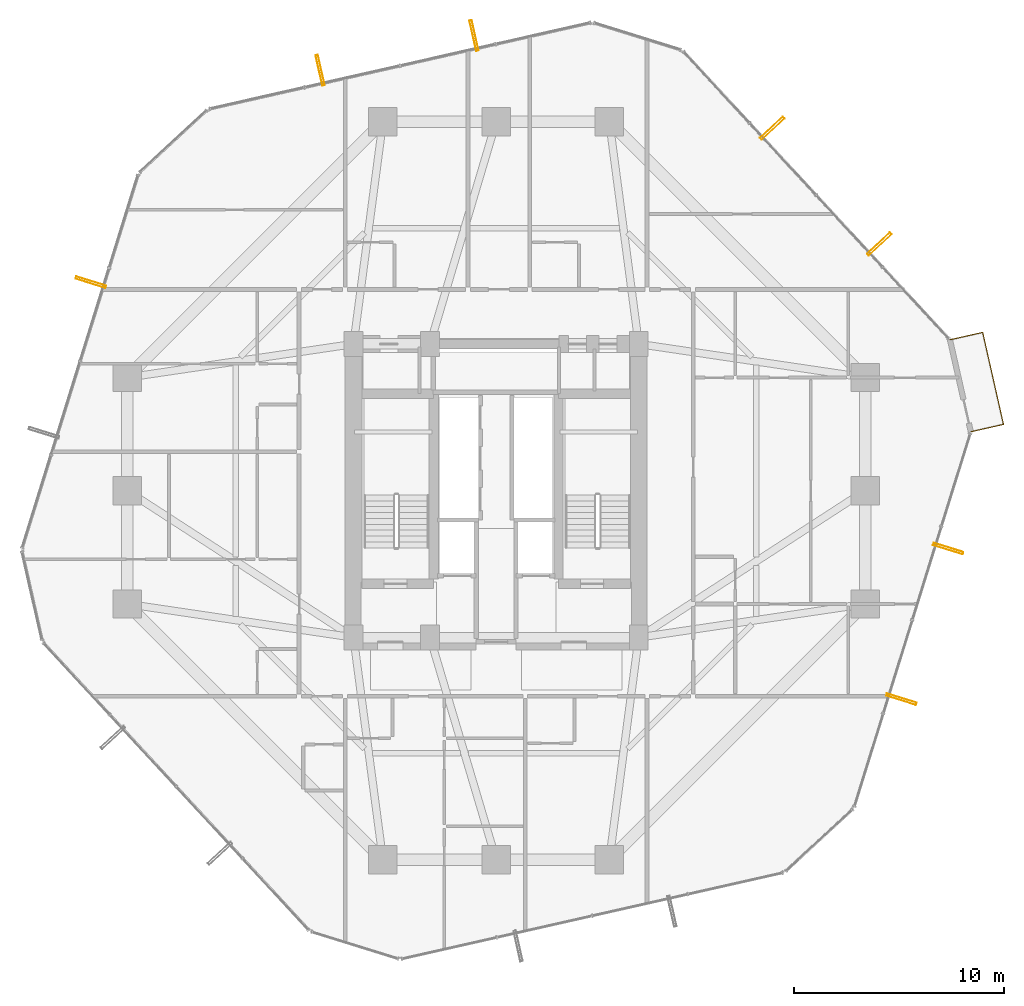
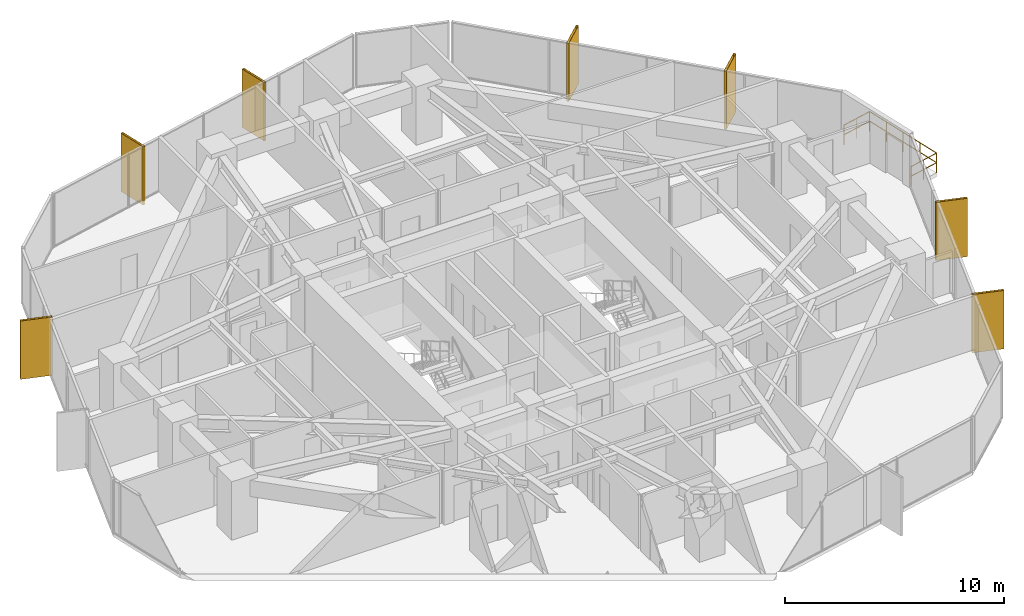
# One storey, part 39 of 39: 7 shading devices, 1 railing.
"""IFC4 building model written with IfcOpenShell, lengths in metres."""

import ifcopenshell
import ifcopenshell.guid

model = None  # the IFC model being written
_history = None  # IfcOwnerHistory: only IFC2X3 demands one
_inside = {}  # id of a spatial element -> (the spatial element, [elements in it])
_under = {}  # id of a project, library or spatial element -> (it, [spatial elements below it])
_declared = {}  # id of a project -> (the project, [libraries it declares])
_typed = {}  # id of a type object -> (the type object, [elements of that type])
_made_of = {}  # id of a material, layer set ... -> (it, [elements and type objects made of it])


def new_model(schema):
    """Start an empty IFC model of exactly this schema.

    Asked for "IFC4X3", IfcOpenShell would pick the latest addendum, in which some entities
    have other attributes; the version numbers below select the first issue.
    IFC2X3 requires an IfcOwnerHistory on every rooted entity: one is made here for all.
    """
    global model, _history
    if schema == "IFC4X3":
        model = ifcopenshell.file(schema_version=(4, 3, 0, 0))
    else:
        model = ifcopenshell.file(schema=schema)
    _inside.clear()
    _under.clear()
    _declared.clear()
    _typed.clear()
    _made_of.clear()
    _history = None
    if model.schema == "IFC2X3":
        org = make("IfcOrganization", Name="unknown")
        user = make(
            "IfcPersonAndOrganization",
            ThePerson=make("IfcPerson", FamilyName="unknown"),
            TheOrganization=org,
        )
        app = make(
            "IfcApplication",
            ApplicationDeveloper=org,
            Version="unknown",
            ApplicationFullName="unknown",
            ApplicationIdentifier="unknown",
        )
        _history = make(
            "IfcOwnerHistory",
            OwningUser=user,
            OwningApplication=app,
            ChangeAction="ADDED",
            CreationDate=0,
        )
    return model


def make(cls, **values):
    """One entity of the class cls with the attributes given. An attribute that is None is left unset."""
    return model.create_entity(
        cls, **{name: value for name, value in values.items() if value is not None}
    )


def rooted(cls, **values):
    """An entity with a GlobalId (a new one), such as an element, a storey or a relation."""
    return make(cls, GlobalId=ifcopenshell.guid.new(), OwnerHistory=_history, **values)


def si_unit(unit_type, name, prefix=None):
    """IfcSIUnit, for example si_unit("LENGTHUNIT", "METRE", prefix="MILLI")."""
    return make("IfcSIUnit", UnitType=unit_type, Prefix=prefix, Name=name)


def assignment(units):
    """IfcUnitAssignment: the units of a project."""
    return None if units is None else make("IfcUnitAssignment", Units=units)


def point(xyz):
    """IfcCartesianPoint."""
    return None if xyz is None else make("IfcCartesianPoint", Coordinates=xyz)


def direction(xyz):
    """IfcDirection."""
    return None if xyz is None else make("IfcDirection", DirectionRatios=xyz)


def frame(location, z_axis=None, x_axis=None):
    """IfcAxis2Placement3D, a coordinate frame: its origin and axes. An axis left out is left unset."""
    return make(
        "IfcAxis2Placement3D",
        Location=point(location),
        Axis=direction(z_axis),
        RefDirection=direction(x_axis),
    )


def frame_2d(location, x_axis=None):
    """IfcAxis2Placement2D, a coordinate frame in the plane: its origin and x axis."""
    return make(
        "IfcAxis2Placement2D", Location=point(location), RefDirection=direction(x_axis)
    )


def origin():
    """The frame at (0, 0, 0) with its axes left unset."""
    return frame((0.0, 0.0, 0.0))


def origin_2d():
    """The frame at (0, 0) in the plane with its x axis left unset."""
    return frame_2d((0.0, 0.0))


def place(relative_to, where):
    """IfcLocalPlacement: puts the frame where relative to a parent placement (None: the world)."""
    return make(
        "IfcLocalPlacement", PlacementRelTo=relative_to, RelativePlacement=where
    )


def context(
    kind, dimensions, precision=None, world=None, true_north=None, identifier=None
):
    """IfcGeometricRepresentationContext, for example the 3D "Model" context."""
    return make(
        "IfcGeometricRepresentationContext",
        ContextIdentifier=identifier,
        ContextType=kind,
        CoordinateSpaceDimension=dimensions,
        Precision=precision,
        WorldCoordinateSystem=world,
        TrueNorth=true_north,
    )


def subcontext(parent, identifier, kind, view, scale=None):
    """IfcGeometricRepresentationSubContext, for example "Body" below "Model"."""
    return make(
        "IfcGeometricRepresentationSubContext",
        ContextIdentifier=identifier,
        ContextType=kind,
        ParentContext=parent,
        TargetScale=scale,
        TargetView=view,
    )


def project(units=None, contexts=None):
    """IfcProject with its units and contexts."""
    return rooted(
        "IfcProject",
        Name="project",
        RepresentationContexts=contexts,
        UnitsInContext=assignment(units),
    )


def spatial(cls, under=None, at=None, **own):
    """A site, building, storey or space (cls), placed at a placement, below another one or the project."""
    s = rooted(cls, ObjectPlacement=at, **own)
    if under is not None:
        _under.setdefault(under.id(), (under, []))[1].append(s)
    return s


def profile(cls, at=None, kind="AREA", **sizes):
    """A parametric profile (cls). Its sizes go by their IFC names, for example OverallWidth=200.0."""
    return make(cls, ProfileType=kind, Position=at, **sizes)


def hollow_rectangle(**sizes):
    """IfcRectangleHollowProfileDef."""
    return profile("IfcRectangleHollowProfileDef", **sizes)


def circle(**sizes):
    """IfcCircleProfileDef."""
    return profile("IfcCircleProfileDef", **sizes)


def extrude(swept, where, along, depth):
    """IfcExtrudedAreaSolid: the profile swept, set in the frame where, extruded along a direction by depth."""
    return make(
        "IfcExtrudedAreaSolid",
        SweptArea=swept,
        Position=where,
        ExtrudedDirection=direction(along),
        Depth=depth,
    )


def shape(context_of_items, identifier, shape_type, items):
    """IfcShapeRepresentation: the items that make up one representation, for example the "Body"."""
    return make(
        "IfcShapeRepresentation",
        ContextOfItems=context_of_items,
        RepresentationIdentifier=identifier,
        RepresentationType=shape_type,
        Items=items,
    )


def material(Name=None, Category=None):
    """IfcMaterial."""
    return make("IfcMaterial", Name=Name, Category=Category)


def material_profile(
    of_material, cross_section, Name=None, Category=None, Priority=None
):
    """IfcMaterialProfile: a cross section and its material."""
    return make(
        "IfcMaterialProfile",
        Name=Name,
        Material=of_material,
        Profile=cross_section,
        Priority=Priority,
        Category=Category,
    )


def profile_set(profiles, Name=None, composite=None):
    """IfcMaterialProfileSet."""
    return make(
        "IfcMaterialProfileSet",
        Name=Name,
        MaterialProfiles=profiles,
        CompositeProfile=composite,
    )


def made_of(thing, what):
    """Note that an element or type object is made of a material, layer set ...; save() writes the relation."""
    if what is not None:
        _made_of.setdefault(what.id(), (what, []))[1].append(thing)
    return thing


def type_object(cls, material=None, **own):
    """A type object (cls), such as IfcWallType, which elements share."""
    return made_of(rooted(cls, **own), material)


def element(
    cls,
    number,
    at=None,
    inside=None,
    cuts=None,
    type_object=None,
    material=None,
    context=None,
    identifier="Body",
    shape_type=None,
    held_by="IfcProductDefinitionShape",
    body=None,
    shapes=None,
    **own,
):
    """One element of the class cls, such as IfcWall. Its Tag is "e" and its number.

    at: its placement. inside: the storey or other place that contains it. cuts: it is an
    opening in that element (IfcRelVoidsElement). A single representation is given by context,
    identifier, shape_type and body (its items); several are given by shapes. held_by: the class
    of the entity that holds the representations. save() writes the other relations.
    """
    e = rooted(cls, Tag="e%d" % number, ObjectPlacement=at, **own)
    if body is not None:
        shapes = [shape(context, identifier, shape_type, body)]
    if shapes is not None:
        e.Representation = make(held_by, Representations=shapes)
    if inside is not None:
        _inside.setdefault(inside.id(), (inside, []))[1].append(e)
    if cuts is not None:
        rooted(
            "IfcRelVoidsElement", RelatingBuildingElement=cuts, RelatedOpeningElement=e
        )
    if type_object is not None:
        _typed.setdefault(type_object.id(), (type_object, []))[1].append(e)
    return made_of(e, material)


def aggregate(whole, parts):
    """IfcRelAggregates: a whole, such as a stair, and the parts it consists of."""
    return rooted("IfcRelAggregates", RelatingObject=whole, RelatedObjects=parts)


def save(model, path):
    """Write the relations noted so far, then the file.

    IfcRelAggregates (storeys below a building ...), IfcRelContainedInSpatialStructure (elements
    in a storey), IfcRelDefinesByType, IfcRelAssociatesMaterial and IfcRelDeclares: one each for
    every whole, place, type object, material and project.
    """
    for whole, parts in _under.values():
        aggregate(whole, parts)
    for where, things in _inside.values():
        rooted(
            "IfcRelContainedInSpatialStructure",
            RelatedElements=things,
            RelatingStructure=where,
        )
    for kind, things in _typed.values():
        rooted("IfcRelDefinesByType", RelatedObjects=things, RelatingType=kind)
    for what, things in _made_of.values():
        rooted("IfcRelAssociatesMaterial", RelatedObjects=things, RelatingMaterial=what)
    for by, libraries in _declared.values():
        rooted("IfcRelDeclares", RelatingContext=by, RelatedDefinitions=libraries)
    model.write(path)


model = new_model("IFC4")

# Units and contexts
model_context = context("Model", 3, precision=1e-05, world=origin(), true_north=direction((0.0, 1.0)))
body_context = subcontext(model_context, "Body", "Model", "MODEL_VIEW")
ifc_project = project(units=[si_unit("LENGTHUNIT", "METRE"), si_unit("AREAUNIT", "SQUARE_METRE"), si_unit("VOLUMEUNIT", "CUBIC_METRE"), si_unit("PLANEANGLEUNIT", "RADIAN"), si_unit("MASSUNIT", "GRAM", prefix="KILO")], contexts=[model_context])

# Site, building, storey
site_placement = place(None, origin())
site = spatial("IfcSite", under=ifc_project, at=site_placement, CompositionType="ELEMENT")
building_placement = place(site_placement, origin())
building = spatial("IfcBuilding", under=site, at=building_placement, Name="Veraguas Prism Commons", CompositionType="ELEMENT")
storey_placement = place(building_placement, frame((0.0, 0.0, 67.35009765625)))
storey = spatial("IfcBuildingStorey", under=building, at=storey_placement, Name="L18", CompositionType="ELEMENT", Elevation=67.35009765625)

# Shading devices
ifc_material_1 = material(Name="Anodised aluminium EN AW-6063 T6", Category="aluminium")
ifc_material_profile = material_profile(ifc_material_1, hollow_rectangle(XDim=0.1201171875, YDim=1.489990234375, WallThickness=0.006103515625, at=origin_2d()), Name="FIN120X1490X6")
ifc_profile_set = profile_set([ifc_material_profile], Name="Anodised aluminium EN AW-6063 T6")
shading_device_type = type_object("IfcShadingDeviceType", Name="Deep Pale-Metal Vertical Solar Fin 120x1490", PredefinedType="USERDEFINED", material=ifc_profile_set)
for number, where, z_axis, x_axis, name in (
    (1, (42.2763671875, 35.76806640625, -0.22998046875), (0.0, 0.0, 1.0), (-0.67867385358, 0.734439786822, 0.0), "Vertical Pale-Metal Solar Fin L18-F1A"),
    (2, (37.171630859375, 41.292236328125, -0.22998046875), (0.0, 0.0, 1.0), (-0.67867385358, 0.734439786822, 0.0), "Vertical Pale-Metal Solar Fin L18-F1B"),
    (3, (22.94677734375, 45.7119140625, -0.22998046875), (0.0, 0.0, 1.0), (-0.975380439728, -0.220528904673, 0.0), "Vertical Pale-Metal Solar Fin L18-F2A"),
    (4, (15.6103515625, 44.05322265625, -0.22998046875), (0.0, 0.0, 1.0), (-0.975380439728, -0.220528904673, 0.0), "Vertical Pale-Metal Solar Fin L18-F2B"),
    (5, (4.67041015625, 33.94384765625, -0.22998046875), (0.0, 0.0, 1.0), (-0.296709919616, -0.954967655788, 0.0), "Vertical Pale-Metal Solar Fin L18-F3A"),
    (6, (43.32958984375, 14.05615234375, -0.22998046875), (0.0, 0.0, 1.0), (0.296709919616, 0.954967655788, 0.0), "Vertical Pale-Metal Solar Fin L18-F6A"),
    (7, (45.561279296875, 21.239013671875, -0.22998046875), (0.0, 0.0, 1.0), (0.296709919616, 0.954967655788, 0.0), "Vertical Pale-Metal Solar Fin L18-F6B"),
):
    element("IfcShadingDevice", number, at=place(storey_placement, frame(where, z_axis=z_axis, x_axis=x_axis)), inside=storey, type_object=shading_device_type, Name=name, ObjectType="FIN", PredefinedType="USERDEFINED", context=body_context, shape_type="SweptSolid", body=[
        extrude(hollow_rectangle(XDim=0.1201171875, YDim=1.489990234375, WallThickness=0.006103515625, at=origin_2d()), origin(), (0.0, 0.0, 1.0), 3.25),
    ])

# Railing
ifc_material_2 = material(Name="Stainless steel AISI 316", Category="steel")
railing_type = type_object("IfcRailingType", Name="Loggia and Sky Pool Glazed Balustrade 1120", PredefinedType="BALUSTRADE", material=ifc_material_2)
railing_placement = place(storey_placement, frame((46.63818359375, 26.8115234375, 0.0)))
element("IfcRailing", 8, at=railing_placement, inside=storey, type_object=railing_type, Name="Recessed Corner Loggia L18-C1 Guard", PredefinedType="BALUSTRADE", context=body_context, shape_type="SweptSolid", body=[
    extrude(circle(Radius=0.02392578125, at=origin_2d()), frame((0.0, 0.0, 1.09619140625), z_axis=(0.975361634148, 0.22061206366, 0.0), x_axis=(-0.22061206366, 0.975361634148, 0.0)), (0.0, 0.0, 1.0), 1.60009765625),
    extrude(circle(Radius=0.02392578125, at=origin_2d()), frame((0.0, 0.0, 0.56005859375), z_axis=(0.975361634148, 0.22061206366, 0.0), x_axis=(-0.22061206366, 0.975361634148, 0.0)), (0.0, 0.0, 1.0), 1.60009765625),
    extrude(circle(Radius=0.02392578125, at=origin_2d()), frame((1.560791015625, 0.35302734375, 1.09619140625), z_axis=(-0.220542284461, 0.975377414525, 0.0), x_axis=(-0.975377414525, -0.220542284461, 0.0)), (0.0, 0.0, 1.0), 4.5),
    extrude(circle(Radius=0.02392578125, at=origin_2d()), frame((1.560791015625, 0.35302734375, 0.56005859375), z_axis=(-0.220542284461, 0.975377414525, 0.0), x_axis=(-0.975377414525, -0.220542284461, 0.0)), (0.0, 0.0, 1.0), 4.5),
    extrude(circle(Radius=0.02392578125, at=origin_2d()), frame((0.568359375, 4.7421875, 1.09619140625), z_axis=(-0.975354207097, -0.220644897287, 0.0), x_axis=(0.220644897287, -0.975354207097, 0.0)), (0.0, 0.0, 1.0), 1.60009765625),
    extrude(circle(Radius=0.02392578125, at=origin_2d()), frame((0.568359375, 4.7421875, 0.56005859375), z_axis=(-0.975354207097, -0.220644897287, 0.0), x_axis=(0.220644897287, -0.975354207097, 0.0)), (0.0, 0.0, 1.0), 1.60009765625),
    extrude(circle(Radius=0.02099609375, at=origin_2d()), origin(), (0.0, 0.0, 1.0), 1.072021484375),
    extrude(circle(Radius=0.02099609375, at=origin_2d()), frame((0.7802734375, 0.176513671875, 0.0)), (0.0, 0.0, 1.0), 1.072021484375),
    extrude(circle(Radius=0.02099609375, at=origin_2d()), frame((1.560791015625, 0.35302734375, 0.0)), (0.0, 0.0, 1.0), 1.072021484375),
    extrude(circle(Radius=0.02099609375, at=origin_2d()), frame((1.312744140625, 1.4501953125, 0.0)), (0.0, 0.0, 1.0), 1.072021484375),
    extrude(circle(Radius=0.02099609375, at=origin_2d()), frame((1.064453125, 2.547607421875, 0.0)), (0.0, 0.0, 1.0), 1.072021484375),
    extrude(circle(Radius=0.02099609375, at=origin_2d()), frame((0.81640625, 3.64501953125, 0.0)), (0.0, 0.0, 1.0), 1.072021484375),
    extrude(circle(Radius=0.02099609375, at=origin_2d()), frame((0.568359375, 4.7421875, 0.0)), (0.0, 0.0, 1.0), 1.072021484375),
    extrude(circle(Radius=0.02099609375, at=origin_2d()), frame((-0.2119140625, 4.565673828125, 0.0)), (0.0, 0.0, 1.0), 1.072021484375),
    extrude(circle(Radius=0.02099609375, at=origin_2d()), frame((-0.9921875, 4.38916015625, 0.0)), (0.0, 0.0, 1.0), 1.072021484375),
])

save(model, "model.ifc")
